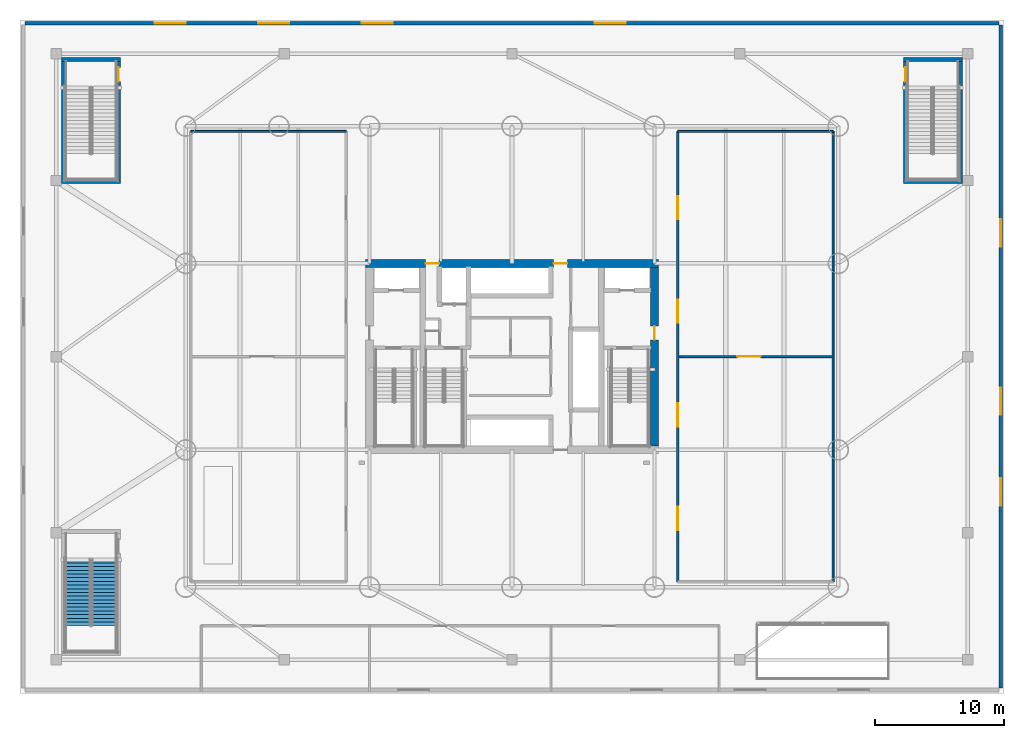
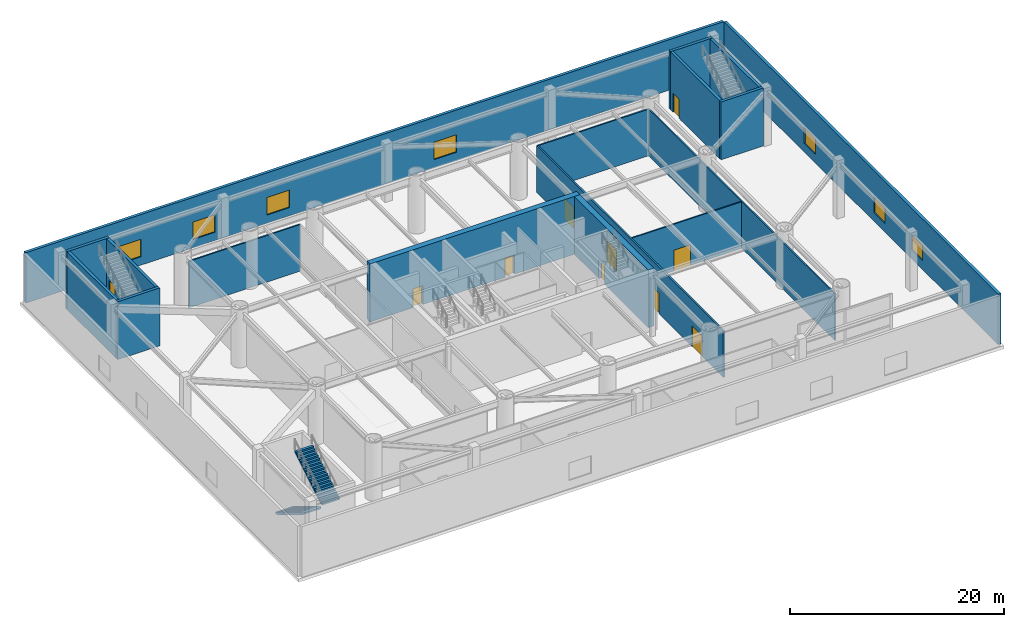
# One storey, part 8 of 16: 17 walls, 10 doors, 7 windows, 2 stair flights, 17 openings, 1 element without a shape of its own.
"""IFC4 building model written with IfcOpenShell, lengths in metres."""

from ifc_helpers import new_model, si_unit, direction, frame, frame_2d, origin, place, context, subcontext, project, spatial, polyline, rectangle, outline, extrude, material, layer, layer_set, type_object, element, fill, aggregate, save


model = new_model("IFC4")

# Units and contexts
model_context = context("Model", 3, precision=1e-05, world=origin(), true_north=direction((0.0, 1.0)))
body_context = subcontext(model_context, "Body", "Model", "MODEL_VIEW")
ifc_project = project(units=[si_unit("LENGTHUNIT", "METRE"), si_unit("AREAUNIT", "SQUARE_METRE"), si_unit("VOLUMEUNIT", "CUBIC_METRE"), si_unit("PLANEANGLEUNIT", "RADIAN"), si_unit("MASSUNIT", "GRAM", prefix="KILO")], contexts=[model_context])

# Site, building, storey
site_placement = place(None, origin())
site = spatial("IfcSite", under=ifc_project, at=site_placement, CompositionType="ELEMENT")
building_placement = place(site_placement, origin())
building = spatial("IfcBuilding", under=site, at=building_placement, Name="Bramvorn Convention Spire", CompositionType="ELEMENT")
storey_placement = place(building_placement, frame((0.0, 0.0, 12.0)))
storey = spatial("IfcBuildingStorey", under=building, at=storey_placement, Name="L02", CompositionType="ELEMENT", Elevation=12.0)

# Wall, openings, doors
ifc_material_1 = material(Name="Concrete C60/70", Category="concrete")
ifc_layer_1 = layer(ifc_material_1, 0.60009765625)
ifc_layer_set_1 = layer_set([ifc_layer_1], Name="Concrete C60/70 - WL-CORE-600")
wall_type_1 = type_object("IfcWallType", Name="WL-CORE-600", PredefinedType="SHEAR", material=ifc_layer_set_1)
wall_1_placement = place(storey_placement, frame((26.699951171875, 33.199951171875, 0.0), z_axis=(0.0, 0.0, 1.0), x_axis=(1.0, 0.0, 0.0)))
wall_1 = element("IfcWall", 1, at=wall_1_placement, inside=storey, type_object=wall_type_1, Name="L02 North RC core shear wall", PredefinedType="SHEAR", context=body_context, shape_type="SweptSolid", body=[
    extrude(rectangle(XDim=22.60009765625, YDim=0.60009765625, at=frame_2d((11.300048828125, 0.0))), origin(), (0.0, 0.0, 1.0), 6.60009765625),
])
opening_1_placement = place(wall_1_placement, frame((4.6201171875, 0.0, 0.0)))
opening_1 = element("IfcOpeningElement", 2, at=opening_1_placement, cuts=wall_1, Name="Opening DL-105", PredefinedType="OPENING", context=body_context, shape_type="SweptSolid", body=[
    extrude(rectangle(XDim=1.050048828125, YDim=2.14990234375, at=frame_2d((0.52490234375, 1.074951171875))), frame((0.0, 0.31005859375, 0.0), z_axis=(0.0, -1.0, 0.0), x_axis=(1.0, 0.0, 0.0)), (0.0, 0.0, 1.0), 0.6201171875),
])
opening_2_placement = place(wall_1_placement, frame((14.52001953125, 0.0, 0.0)))
opening_2 = element("IfcOpeningElement", 3, at=opening_2_placement, cuts=wall_1, Name="Opening DL-105", PredefinedType="OPENING", context=body_context, shape_type="SweptSolid", body=[
    extrude(rectangle(XDim=1.050048828125, YDim=2.14990234375, at=frame_2d((0.52490234375, 1.074951171875))), frame((0.0, 0.31005859375, 0.0), z_axis=(0.0, -1.0, 0.0), x_axis=(1.0, 0.0, 0.0)), (0.0, 0.0, 1.0), 0.6201171875),
])
ifc_material_2 = material(Name="Smoke-Sealed Fire Lobby Timber-Core Door", Category="wood")
door_type_1 = type_object("IfcDoorType", Name="DR-LOBBY-1050", OperationType="NOTDEFINED", PredefinedType="DOOR", material=ifc_material_2)
door_1_placement = place(opening_1_placement, origin())
door_1 = element("IfcDoor", 4, at=door_1_placement, inside=storey, type_object=door_type_1, Name="L02 Service & Stair ST3 Lobby north corridor door", OperationType="SINGLE_SWING_LEFT", OverallHeight=2.14990234375, OverallWidth=1.050048828125, PredefinedType="DOOR", context=body_context, shape_type="SweptSolid", body=[
    extrude(rectangle(XDim=1.050048828125, YDim=2.14990234375, at=frame_2d((0.52490234375, 1.074951171875))), frame((0.0, 0.02490234375, 0.0), z_axis=(0.0, -1.0, 0.0), x_axis=(1.0, 0.0, 0.0)), (0.0, 0.0, 1.0), 0.050048828125),
])
fill(opening_1, door_1)
door_2_placement = place(opening_2_placement, origin())
door_2 = element("IfcDoor", 5, at=door_2_placement, inside=storey, type_object=door_type_1, Name="L02 North Lift Lobby fire door", OperationType="SINGLE_SWING_LEFT", OverallHeight=2.14990234375, OverallWidth=1.050048828125, PredefinedType="DOOR", context=body_context, shape_type="SweptSolid", body=[
    extrude(rectangle(XDim=1.050048828125, YDim=2.14990234375, at=frame_2d((0.52490234375, 1.074951171875))), frame((0.0, 0.02490234375, 0.0), z_axis=(0.0, -1.0, 0.0), x_axis=(1.0, 0.0, 0.0)), (0.0, 0.0, 1.0), 0.050048828125),
])
fill(opening_2, door_2)

# Wall, opening, door
wall_2_placement = place(storey_placement, frame((49.0, 19.10009765625, 0.0), z_axis=(0.0, 0.0, 1.0), x_axis=(0.0, 1.0, 0.0)))
wall_2 = element("IfcWall", 6, at=wall_2_placement, inside=storey, type_object=wall_type_1, Name="L02 East RC core shear wall", PredefinedType="SHEAR", context=body_context, shape_type="SweptSolid", body=[
    extrude(rectangle(XDim=13.7998046875, YDim=0.60009765625, at=frame_2d((6.89990234375, 0.0))), origin(), (0.0, 0.0, 1.0), 6.60009765625),
])
opening_3_placement = place(wall_2_placement, frame((8.199951171875, 0.0, 0.0)))
opening_3 = element("IfcOpeningElement", 7, at=opening_3_placement, cuts=wall_2, Name="Opening DL-105", PredefinedType="OPENING", context=body_context, shape_type="SweptSolid", body=[
    extrude(rectangle(XDim=1.050048828125, YDim=2.14990234375, at=frame_2d((0.52490234375, 1.074951171875))), frame((0.0, 0.31005859375, 0.0), z_axis=(0.0, -1.0, 0.0), x_axis=(1.0, 0.0, 0.0)), (0.0, 0.0, 1.0), 0.6201171875),
])
door_3_placement = place(opening_3_placement, origin())
door_3 = element("IfcDoor", 8, at=door_3_placement, inside=storey, type_object=door_type_1, Name="L02 East Firefighting Lobby corridor door", OperationType="SINGLE_SWING_LEFT", OverallHeight=2.14990234375, OverallWidth=1.050048828125, PredefinedType="DOOR", context=body_context, shape_type="SweptSolid", body=[
    extrude(rectangle(XDim=1.050048828125, YDim=2.14990234375, at=frame_2d((0.52490234375, 1.074951171875))), frame((0.0, 0.02490234375, 0.0), z_axis=(0.0, -1.0, 0.0), x_axis=(1.0, 0.0, 0.0)), (0.0, 0.0, 1.0), 0.050048828125),
])
fill(opening_3, door_3)

# Wall, openings, windows
ifc_material_3 = material(Name="Precast Concrete C40/50 with Bronze Terracotta Rainscreen", Category="masonry")
ifc_layer_2 = layer(ifc_material_3, 0.300048828125)
ifc_layer_set_2 = layer_set([ifc_layer_2], Name="Precast Concrete C40/50 with Bronze Terracotta Rainscreen - WL-EXT-BRONZE-300")
wall_type_2 = type_object("IfcWallType", Name="WL-EXT-BRONZE-300", PredefinedType="SOLIDWALL", material=ifc_layer_set_2)
wall_3_placement = place(storey_placement, frame((0.39990234375, 51.75, 0.0), z_axis=(0.0, 0.0, 1.0), x_axis=(1.0, 0.0, 0.0)))
wall_3 = element("IfcWall", 9, at=wall_3_placement, inside=storey, type_object=wall_type_2, Name="L02 North podium bronze facade wall", PredefinedType="SOLIDWALL", context=body_context, shape_type="SweptSolid", body=[
    extrude(rectangle(XDim=75.2001953125, YDim=0.300048828125, at=frame_2d((37.60009765625, 0.0))), origin(), (0.0, 0.0, 1.0), 5.760009765625),
])
opening_4_placement = place(wall_3_placement, frame((10.0, 0.0, 0.949951171875)))
opening_4 = element("IfcOpeningElement", 10, at=opening_4_placement, cuts=wall_3, Name="Opening WN05", PredefinedType="OPENING", context=body_context, shape_type="SweptSolid", body=[
    extrude(rectangle(XDim=2.39990234375, YDim=2.0, at=frame_2d((1.199951171875, 1.0))), frame((0.0, 0.159912109375, 0.0), z_axis=(0.0, -1.0, 0.0), x_axis=(1.0, 0.0, 0.0)), (0.0, 0.0, 1.0), 0.320068359375),
])
opening_5_placement = place(wall_3_placement, frame((18.0, 0.0, 0.949951171875)))
opening_5 = element("IfcOpeningElement", 11, at=opening_5_placement, cuts=wall_3, Name="Opening WN05", PredefinedType="OPENING", context=body_context, shape_type="SweptSolid", body=[
    extrude(rectangle(XDim=2.39990234375, YDim=2.0, at=frame_2d((1.199951171875, 1.0))), frame((0.0, 0.159912109375, 0.0), z_axis=(0.0, -1.0, 0.0), x_axis=(1.0, 0.0, 0.0)), (0.0, 0.0, 1.0), 0.320068359375),
])
opening_6_placement = place(wall_3_placement, frame((26.0, 0.0, 0.949951171875)))
opening_6 = element("IfcOpeningElement", 12, at=opening_6_placement, cuts=wall_3, Name="Opening WN05", PredefinedType="OPENING", context=body_context, shape_type="SweptSolid", body=[
    extrude(rectangle(XDim=2.39990234375, YDim=2.0, at=frame_2d((1.199951171875, 1.0))), frame((0.0, 0.159912109375, 0.0), z_axis=(0.0, -1.0, 0.0), x_axis=(1.0, 0.0, 0.0)), (0.0, 0.0, 1.0), 0.320068359375),
])
opening_7_placement = place(wall_3_placement, frame((44.0, 0.0, 0.949951171875)))
opening_7 = element("IfcOpeningElement", 13, at=opening_7_placement, cuts=wall_3, Name="Opening WN05", PredefinedType="OPENING", context=body_context, shape_type="SweptSolid", body=[
    extrude(rectangle(XDim=2.39990234375, YDim=2.0, at=frame_2d((1.199951171875, 1.0))), frame((0.0, 0.159912109375, 0.0), z_axis=(0.0, -1.0, 0.0), x_axis=(1.0, 0.0, 0.0)), (0.0, 0.0, 1.0), 0.320068359375),
])
ifc_material_4 = material(Name="Thermally Broken Bronze Aluminium & Triple Low-E Glass", Category="aluminium")
window_type_1 = type_object("IfcWindowType", Name="WN-OP-2400X2000", PartitioningType="SINGLE_PANEL", PredefinedType="WINDOW", material=ifc_material_4)
window_1_placement = place(opening_4_placement, origin())
window_1 = element("IfcWindow", 14, at=window_1_placement, inside=storey, type_object=window_type_1, Name="L02 North operable convention window 1", OverallHeight=2.0, OverallWidth=2.39990234375, PartitioningType="SINGLE_PANEL", PredefinedType="WINDOW", context=body_context, shape_type="SweptSolid", body=[
    extrude(rectangle(XDim=2.39990234375, YDim=2.0, at=frame_2d((1.199951171875, 1.0))), frame((0.0, 0.030029296875, 0.0), z_axis=(0.0, -1.0, 0.0), x_axis=(1.0, 0.0, 0.0)), (0.0, 0.0, 1.0), 0.06005859375),
])
fill(opening_4, window_1)
window_2_placement = place(opening_5_placement, origin())
window_2 = element("IfcWindow", 15, at=window_2_placement, inside=storey, type_object=window_type_1, Name="L02 North operable convention window 2", OverallHeight=2.0, OverallWidth=2.39990234375, PartitioningType="SINGLE_PANEL", PredefinedType="WINDOW", context=body_context, shape_type="SweptSolid", body=[
    extrude(rectangle(XDim=2.39990234375, YDim=2.0, at=frame_2d((1.199951171875, 1.0))), frame((0.0, 0.030029296875, 0.0), z_axis=(0.0, -1.0, 0.0), x_axis=(1.0, 0.0, 0.0)), (0.0, 0.0, 1.0), 0.06005859375),
])
fill(opening_5, window_2)
window_3_placement = place(opening_6_placement, origin())
window_3 = element("IfcWindow", 16, at=window_3_placement, inside=storey, type_object=window_type_1, Name="L02 North operable convention window 3", OverallHeight=2.0, OverallWidth=2.39990234375, PartitioningType="SINGLE_PANEL", PredefinedType="WINDOW", context=body_context, shape_type="SweptSolid", body=[
    extrude(rectangle(XDim=2.39990234375, YDim=2.0, at=frame_2d((1.199951171875, 1.0))), frame((0.0, 0.030029296875, 0.0), z_axis=(0.0, -1.0, 0.0), x_axis=(1.0, 0.0, 0.0)), (0.0, 0.0, 1.0), 0.06005859375),
])
fill(opening_6, window_3)
window_4_placement = place(opening_7_placement, origin())
window_4 = element("IfcWindow", 17, at=window_4_placement, inside=storey, type_object=window_type_1, Name="L02 North operable convention window 4", OverallHeight=2.0, OverallWidth=2.39990234375, PartitioningType="SINGLE_PANEL", PredefinedType="WINDOW", context=body_context, shape_type="SweptSolid", body=[
    extrude(rectangle(XDim=2.39990234375, YDim=2.0, at=frame_2d((1.199951171875, 1.0))), frame((0.0, 0.030029296875, 0.0), z_axis=(0.0, -1.0, 0.0), x_axis=(1.0, 0.0, 0.0)), (0.0, 0.0, 1.0), 0.06005859375),
])
fill(opening_7, window_4)

wall_4_placement = place(storey_placement, frame((75.75, 51.60009765625, 0.0), z_axis=(0.0, 0.0, 1.0), x_axis=(0.0, -1.0, 0.0)))
wall_4 = element("IfcWall", 18, at=wall_4_placement, inside=storey, type_object=wall_type_2, Name="L02 East podium bronze facade wall", PredefinedType="SOLIDWALL", context=body_context, shape_type="SweptSolid", body=[
    extrude(rectangle(XDim=51.2001953125, YDim=0.300048828125, at=frame_2d((25.60009765625, 0.0))), origin(), (0.0, 0.0, 1.0), 5.760009765625),
])
opening_8_placement = place(wall_4_placement, frame((15.0, 0.0, 1.0)))
opening_8 = element("IfcOpeningElement", 19, at=opening_8_placement, cuts=wall_4, Name="Opening WN04", PredefinedType="OPENING", context=body_context, shape_type="SweptSolid", body=[
    extrude(rectangle(XDim=2.10009765625, YDim=1.800048828125, at=frame_2d((1.050048828125, 0.89990234375))), frame((0.0, 0.159912109375, 0.0), z_axis=(0.0, -1.0, 0.0), x_axis=(1.0, 0.0, 0.0)), (0.0, 0.0, 1.0), 0.320068359375),
])
opening_9_placement = place(wall_4_placement, frame((28.0, 0.0, 1.0)))
opening_9 = element("IfcOpeningElement", 20, at=opening_9_placement, cuts=wall_4, Name="Opening WN04", PredefinedType="OPENING", context=body_context, shape_type="SweptSolid", body=[
    extrude(rectangle(XDim=2.10009765625, YDim=1.800048828125, at=frame_2d((1.050048828125, 0.89990234375))), frame((0.0, 0.159912109375, 0.0), z_axis=(0.0, -1.0, 0.0), x_axis=(1.0, 0.0, 0.0)), (0.0, 0.0, 1.0), 0.320068359375),
])
opening_10_placement = place(wall_4_placement, frame((35.0, 0.0, 1.0)))
opening_10 = element("IfcOpeningElement", 21, at=opening_10_placement, cuts=wall_4, Name="Opening WN04", PredefinedType="OPENING", context=body_context, shape_type="SweptSolid", body=[
    extrude(rectangle(XDim=2.10009765625, YDim=1.800048828125, at=frame_2d((1.050048828125, 0.89990234375))), frame((0.0, 0.159912109375, 0.0), z_axis=(0.0, -1.0, 0.0), x_axis=(1.0, 0.0, 0.0)), (0.0, 0.0, 1.0), 0.320068359375),
])
window_type_2 = type_object("IfcWindowType", Name="WN-OP-2100X1800", PartitioningType="SINGLE_PANEL", PredefinedType="WINDOW", material=ifc_material_4)
window_5_placement = place(opening_8_placement, origin())
window_5 = element("IfcWindow", 22, at=window_5_placement, inside=storey, type_object=window_type_2, Name="L02 East operable window 1", OverallHeight=1.800048828125, OverallWidth=2.10009765625, PartitioningType="SINGLE_PANEL", PredefinedType="WINDOW", context=body_context, shape_type="SweptSolid", body=[
    extrude(rectangle(XDim=2.10009765625, YDim=1.800048828125, at=frame_2d((1.050048828125, 0.89990234375))), frame((0.0, 0.030029296875, 0.0), z_axis=(0.0, -1.0, 0.0), x_axis=(1.0, 0.0, 0.0)), (0.0, 0.0, 1.0), 0.06005859375),
])
fill(opening_8, window_5)
window_6_placement = place(opening_9_placement, origin())
window_6 = element("IfcWindow", 23, at=window_6_placement, inside=storey, type_object=window_type_2, Name="L02 East operable window 2", OverallHeight=1.800048828125, OverallWidth=2.10009765625, PartitioningType="SINGLE_PANEL", PredefinedType="WINDOW", context=body_context, shape_type="SweptSolid", body=[
    extrude(rectangle(XDim=2.10009765625, YDim=1.800048828125, at=frame_2d((1.050048828125, 0.89990234375))), frame((0.0, 0.030029296875, 0.0), z_axis=(0.0, -1.0, 0.0), x_axis=(1.0, 0.0, 0.0)), (0.0, 0.0, 1.0), 0.06005859375),
])
fill(opening_9, window_6)
window_7_placement = place(opening_10_placement, origin())
window_7 = element("IfcWindow", 24, at=window_7_placement, inside=storey, type_object=window_type_2, Name="L02 East operable window 3", OverallHeight=1.800048828125, OverallWidth=2.10009765625, PartitioningType="SINGLE_PANEL", PredefinedType="WINDOW", context=body_context, shape_type="SweptSolid", body=[
    extrude(rectangle(XDim=2.10009765625, YDim=1.800048828125, at=frame_2d((1.050048828125, 0.89990234375))), frame((0.0, 0.030029296875, 0.0), z_axis=(0.0, -1.0, 0.0), x_axis=(1.0, 0.0, 0.0)), (0.0, 0.0, 1.0), 0.06005859375),
])
fill(opening_10, window_7)

# Wall, opening, door
ifc_material_5 = material(Name="Motorised Operable Acoustic Hall Partition", Category="gypsum")
ifc_layer_3 = layer(ifc_material_5, 0.139892578125)
ifc_layer_set_3 = layer_set([ifc_layer_3], Name="Motorised Operable Acoustic Hall Partition - WL-MOVABLE-140")
wall_type_3 = type_object("IfcWallType", Name="WL-MOVABLE-140", PredefinedType="MOVABLE", material=ifc_layer_set_3)
wall_5_placement = place(storey_placement, frame((50.89990234375, 26.0, 0.0), z_axis=(0.0, 0.0, 1.0), x_axis=(1.0, 0.0, 0.0)))
wall_5 = element("IfcWall", 25, at=wall_5_placement, inside=storey, type_object=wall_type_3, Name="L02 Operable hall wall E", PredefinedType="MOVABLE", context=body_context, shape_type="SweptSolid", body=[
    extrude(rectangle(XDim=11.800048828125, YDim=0.139892578125, at=frame_2d((5.89990234375, 0.0))), origin(), (0.0, 0.0, 1.0), 5.31005859375),
])
opening_11_placement = place(wall_5_placement, frame((4.5, 0.0, 0.0)))
opening_11 = element("IfcOpeningElement", 26, at=opening_11_placement, cuts=wall_5, Name="Opening DH-180", PredefinedType="OPENING", context=body_context, shape_type="SweptSolid", body=[
    extrude(rectangle(XDim=1.800048828125, YDim=2.35009765625, at=frame_2d((0.89990234375, 1.175048828125))), frame((0.0, 0.079833984375, 0.0), z_axis=(0.0, -1.0, 0.0), x_axis=(1.0, 0.0, 0.0)), (0.0, 0.0, 1.0), 0.159912109375),
])
ifc_material_6 = material(Name="Double-Leaf Acoustic Assembly Hall Door", Category="wood")
door_type_2 = type_object("IfcDoorType", Name="DR-HALL-1800", OperationType="NOTDEFINED", PredefinedType="DOOR", material=ifc_material_6)
door_4_placement = place(opening_11_placement, origin())
door_4 = element("IfcDoor", 27, at=door_4_placement, inside=storey, type_object=door_type_2, Name="L02 Operable pass door E", OperationType="DOUBLE_DOOR_SINGLE_SWING", OverallHeight=2.35009765625, OverallWidth=1.800048828125, PredefinedType="DOOR", context=body_context, shape_type="SweptSolid", body=[
    extrude(rectangle(XDim=1.800048828125, YDim=2.35009765625, at=frame_2d((0.89990234375, 1.175048828125))), frame((0.0, 0.02490234375, 0.0), z_axis=(0.0, -1.0, 0.0), x_axis=(1.0, 0.0, 0.0)), (0.0, 0.0, 1.0), 0.050048828125),
])
fill(opening_11, door_4)

# Walls
ifc_material_7 = material(Name="Acoustic Metal-Stud Tenant/Corridor Partition", Category="gypsum")
ifc_layer_4 = layer(ifc_material_7, 0.14990234375)
ifc_layer_set_4 = layer_set([ifc_layer_4], Name="Acoustic Metal-Stud Tenant/Corridor Partition - WL-PART-150")
wall_type_4 = type_object("IfcWallType", Name="WL-PART-150", PredefinedType="PARTITIONING", material=ifc_layer_set_4)
for number, where, z_axis, x_axis, name in (
    (28, (13.199951171875, 43.39990234375, 0.0), (0.0, 0.0, 1.0), (1.0, 0.0, 0.0), "L02 West Hall north wall"),
    (29, (50.800048828125, 43.39990234375, 0.0), (0.0, 0.0, 1.0), (1.0, 0.0, 0.0), "L02 East Hall north wall"),
):
    element("IfcWall", number, at=place(storey_placement, frame(where, z_axis=z_axis, x_axis=x_axis)), inside=storey, type_object=wall_type_4, Name=name, PredefinedType="PARTITIONING", context=body_context, shape_type="SweptSolid", body=[
        extrude(rectangle(XDim=12.0, YDim=0.14990234375, at=frame_2d((6.0, 0.0))), origin(), (0.0, 0.0, 1.0), 5.31005859375),
    ])
wall_6_placement = place(storey_placement, frame((62.800048828125, 8.60009765625, 0.0), z_axis=(0.0, 0.0, 1.0), x_axis=(0.0, 1.0, 0.0)))
element("IfcWall", 30, at=wall_6_placement, inside=storey, type_object=wall_type_4, Name="L02 East Hall outer gallery wall", PredefinedType="PARTITIONING", context=body_context, shape_type="SweptSolid", body=[
    extrude(rectangle(XDim=34.7998046875, YDim=0.14990234375, at=frame_2d((17.39990234375, 0.0))), origin(), (0.0, 0.0, 1.0), 5.31005859375),
])

# Wall, openings, doors
ifc_material_8 = material(Name="Double-Stud Acoustic Hotel/Suite Partition", Category="gypsum")
ifc_layer_5 = layer(ifc_material_8, 0.175048828125)
ifc_layer_set_5 = layer_set([ifc_layer_5], Name="Double-Stud Acoustic Hotel/Suite Partition - WL-PART-175")
wall_type_5 = type_object("IfcWallType", Name="WL-PART-175", PredefinedType="PARTITIONING", material=ifc_layer_set_5)
wall_7_placement = place(storey_placement, frame((50.800048828125, 8.60009765625, 0.0), z_axis=(0.0, 0.0, 1.0), x_axis=(0.0, 1.0, 0.0)))
wall_7 = element("IfcWall", 31, at=wall_7_placement, inside=storey, type_object=wall_type_5, Name="L02 East Expo Hall foyer wall", PredefinedType="PARTITIONING", context=body_context, shape_type="SweptSolid", body=[
    extrude(rectangle(XDim=34.7998046875, YDim=0.175048828125, at=frame_2d((17.39990234375, 0.0))), origin(), (0.0, 0.0, 1.0), 5.31005859375),
])
opening_12_placement = place(wall_7_placement, frame((4.0, 0.0, 0.0)))
opening_12 = element("IfcOpeningElement", 32, at=opening_12_placement, cuts=wall_7, Name="Opening DH-180", PredefinedType="OPENING", context=body_context, shape_type="SweptSolid", body=[
    extrude(rectangle(XDim=1.800048828125, YDim=2.35009765625, at=frame_2d((0.89990234375, 1.175048828125))), frame((0.0, 0.097412109375, 0.0), z_axis=(0.0, -1.0, 0.0), x_axis=(1.0, 0.0, 0.0)), (0.0, 0.0, 1.0), 0.195068359375),
])
opening_13_placement = place(wall_7_placement, frame((12.0, 0.0, 0.0)))
opening_13 = element("IfcOpeningElement", 33, at=opening_13_placement, cuts=wall_7, Name="Opening DH-180", PredefinedType="OPENING", context=body_context, shape_type="SweptSolid", body=[
    extrude(rectangle(XDim=1.800048828125, YDim=2.35009765625, at=frame_2d((0.89990234375, 1.175048828125))), frame((0.0, 0.097412109375, 0.0), z_axis=(0.0, -1.0, 0.0), x_axis=(1.0, 0.0, 0.0)), (0.0, 0.0, 1.0), 0.195068359375),
])
opening_14_placement = place(wall_7_placement, frame((20.0, 0.0, 0.0)))
opening_14 = element("IfcOpeningElement", 34, at=opening_14_placement, cuts=wall_7, Name="Opening DH-180", PredefinedType="OPENING", context=body_context, shape_type="SweptSolid", body=[
    extrude(rectangle(XDim=1.800048828125, YDim=2.35009765625, at=frame_2d((0.89990234375, 1.175048828125))), frame((0.0, 0.097412109375, 0.0), z_axis=(0.0, -1.0, 0.0), x_axis=(1.0, 0.0, 0.0)), (0.0, 0.0, 1.0), 0.195068359375),
])
opening_15_placement = place(wall_7_placement, frame((28.0, 0.0, 0.0)))
opening_15 = element("IfcOpeningElement", 35, at=opening_15_placement, cuts=wall_7, Name="Opening DH-180", PredefinedType="OPENING", context=body_context, shape_type="SweptSolid", body=[
    extrude(rectangle(XDim=1.800048828125, YDim=2.35009765625, at=frame_2d((0.89990234375, 1.175048828125))), frame((0.0, 0.097412109375, 0.0), z_axis=(0.0, -1.0, 0.0), x_axis=(1.0, 0.0, 0.0)), (0.0, 0.0, 1.0), 0.195068359375),
])
door_5_placement = place(opening_12_placement, origin())
door_5 = element("IfcDoor", 36, at=door_5_placement, inside=storey, type_object=door_type_2, Name="L02 East Hall portal 1", OperationType="DOUBLE_DOOR_SINGLE_SWING", OverallHeight=2.35009765625, OverallWidth=1.800048828125, PredefinedType="DOOR", context=body_context, shape_type="SweptSolid", body=[
    extrude(rectangle(XDim=1.800048828125, YDim=2.35009765625, at=frame_2d((0.89990234375, 1.175048828125))), frame((0.0, 0.02490234375, 0.0), z_axis=(0.0, -1.0, 0.0), x_axis=(1.0, 0.0, 0.0)), (0.0, 0.0, 1.0), 0.050048828125),
])
fill(opening_12, door_5)
door_6_placement = place(opening_13_placement, origin())
door_6 = element("IfcDoor", 37, at=door_6_placement, inside=storey, type_object=door_type_2, Name="L02 East Hall portal 2", OperationType="DOUBLE_DOOR_SINGLE_SWING", OverallHeight=2.35009765625, OverallWidth=1.800048828125, PredefinedType="DOOR", context=body_context, shape_type="SweptSolid", body=[
    extrude(rectangle(XDim=1.800048828125, YDim=2.35009765625, at=frame_2d((0.89990234375, 1.175048828125))), frame((0.0, 0.02490234375, 0.0), z_axis=(0.0, -1.0, 0.0), x_axis=(1.0, 0.0, 0.0)), (0.0, 0.0, 1.0), 0.050048828125),
])
fill(opening_13, door_6)
door_7_placement = place(opening_14_placement, origin())
door_7 = element("IfcDoor", 38, at=door_7_placement, inside=storey, type_object=door_type_2, Name="L02 East Hall portal 3", OperationType="DOUBLE_DOOR_SINGLE_SWING", OverallHeight=2.35009765625, OverallWidth=1.800048828125, PredefinedType="DOOR", context=body_context, shape_type="SweptSolid", body=[
    extrude(rectangle(XDim=1.800048828125, YDim=2.35009765625, at=frame_2d((0.89990234375, 1.175048828125))), frame((0.0, 0.02490234375, 0.0), z_axis=(0.0, -1.0, 0.0), x_axis=(1.0, 0.0, 0.0)), (0.0, 0.0, 1.0), 0.050048828125),
])
fill(opening_14, door_7)
door_8_placement = place(opening_15_placement, origin())
door_8 = element("IfcDoor", 39, at=door_8_placement, inside=storey, type_object=door_type_2, Name="L02 East Hall portal 4", OperationType="DOUBLE_DOOR_SINGLE_SWING", OverallHeight=2.35009765625, OverallWidth=1.800048828125, PredefinedType="DOOR", context=body_context, shape_type="SweptSolid", body=[
    extrude(rectangle(XDim=1.800048828125, YDim=2.35009765625, at=frame_2d((0.89990234375, 1.175048828125))), frame((0.0, 0.02490234375, 0.0), z_axis=(0.0, -1.0, 0.0), x_axis=(1.0, 0.0, 0.0)), (0.0, 0.0, 1.0), 0.050048828125),
])
fill(opening_15, door_8)

# Walls
ifc_material_9 = material(Name="Concrete C50/60", Category="concrete")
ifc_layer_6 = layer(ifc_material_9, 0.300048828125)
ifc_layer_set_6 = layer_set([ifc_layer_6], Name="Concrete C50/60 - WL-POD-STAIR-300")
wall_type_6 = type_object("IfcWallType", Name="WL-POD-STAIR-300", PredefinedType="SHEAR", material=ifc_layer_set_6)
for number, where, z_axis, x_axis, name in (
    (40, (68.22998046875, 39.510009765625, 0.0), (0.0, 0.0, 1.0), (1.0, 0.0, 0.0), "L02 ST5 south shaft wall"),
    (41, (68.22998046875, 48.93994140625, 0.0), (0.0, 0.0, 1.0), (1.0, 0.0, 0.0), "L02 ST5 north shaft wall"),
):
    element("IfcWall", number, at=place(storey_placement, frame(where, z_axis=z_axis, x_axis=x_axis)), inside=storey, type_object=wall_type_6, Name=name, PredefinedType="SHEAR", context=body_context, shape_type="SweptSolid", body=[
        extrude(rectangle(XDim=4.56005859375, YDim=0.300048828125, at=frame_2d((2.280029296875, 0.0))), origin(), (0.0, 0.0, 1.0), 6.60009765625),
    ])

# Wall, opening, door
wall_8_placement = place(storey_placement, frame((68.3798828125, 39.659912109375, 0.0), z_axis=(0.0, 0.0, 1.0), x_axis=(0.0, 1.0, 0.0)))
wall_8 = element("IfcWall", 42, at=wall_8_placement, inside=storey, type_object=wall_type_6, Name="L02 ST5 west shaft wall", PredefinedType="SHEAR", context=body_context, shape_type="SweptSolid", body=[
    extrude(rectangle(XDim=9.130126953125, YDim=0.300048828125, at=frame_2d((4.56494140625, 0.0))), origin(), (0.0, 0.0, 1.0), 6.60009765625),
])
opening_16_placement = place(wall_8_placement, frame((7.580078125, 0.0, 0.0)))
opening_16 = element("IfcOpeningElement", 43, at=opening_16_placement, cuts=wall_8, Name="Opening DS-110", PredefinedType="OPENING", context=body_context, shape_type="SweptSolid", body=[
    extrude(rectangle(XDim=1.10009765625, YDim=2.14990234375, at=frame_2d((0.550048828125, 1.074951171875))), frame((0.0, 0.159912109375, 0.0), z_axis=(0.0, -1.0, 0.0), x_axis=(1.0, 0.0, 0.0)), (0.0, 0.0, 1.0), 0.320068359375),
])
ifc_material_10 = material(Name="Fire-Rated Hollow Steel Stairwell Door", Category="steel")
door_type_3 = type_object("IfcDoorType", Name="DR-STAIR-1100", OperationType="NOTDEFINED", PredefinedType="DOOR", material=ifc_material_10)
door_9_placement = place(opening_16_placement, origin())
door_9 = element("IfcDoor", 44, at=door_9_placement, inside=storey, type_object=door_type_3, Name="L02 ST5 exit stairwell door", OperationType="SINGLE_SWING_LEFT", OverallHeight=2.14990234375, OverallWidth=1.10009765625, PredefinedType="DOOR", context=body_context, shape_type="SweptSolid", body=[
    extrude(rectangle(XDim=1.10009765625, YDim=2.14990234375, at=frame_2d((0.550048828125, 1.074951171875))), frame((0.0, 0.02490234375, 0.0), z_axis=(0.0, -1.0, 0.0), x_axis=(1.0, 0.0, 0.0)), (0.0, 0.0, 1.0), 0.050048828125),
])
fill(opening_16, door_9)

# Walls
wall_9_placement = place(storey_placement, frame((72.639892578125, 48.7900390625, 0.0), z_axis=(0.0, 0.0, 1.0), x_axis=(0.0, -1.0, 0.0)))
element("IfcWall", 45, at=wall_9_placement, inside=storey, type_object=wall_type_6, Name="L02 ST5 east shaft wall", PredefinedType="SHEAR", context=body_context, shape_type="SweptSolid", body=[
    extrude(rectangle(XDim=9.130126953125, YDim=0.300048828125, at=frame_2d((4.56494140625, 0.0))), origin(), (0.0, 0.0, 1.0), 6.60009765625),
])
for number, where, z_axis, x_axis, name in (
    (46, (3.2099609375, 39.510009765625, 0.0), (0.0, 0.0, 1.0), (1.0, 0.0, 0.0), "L02 ST6 south shaft wall"),
    (47, (3.2099609375, 48.93994140625, 0.0), (0.0, 0.0, 1.0), (1.0, 0.0, 0.0), "L02 ST6 north shaft wall"),
):
    element("IfcWall", number, at=place(storey_placement, frame(where, z_axis=z_axis, x_axis=x_axis)), inside=storey, type_object=wall_type_6, Name=name, PredefinedType="SHEAR", context=body_context, shape_type="SweptSolid", body=[
        extrude(rectangle(XDim=4.56005859375, YDim=0.300048828125, at=frame_2d((2.280029296875, 0.0))), origin(), (0.0, 0.0, 1.0), 6.60009765625),
    ])
wall_10_placement = place(storey_placement, frame((3.360107421875, 39.659912109375, 0.0), z_axis=(0.0, 0.0, 1.0), x_axis=(0.0, 1.0, 0.0)))
element("IfcWall", 48, at=wall_10_placement, inside=storey, type_object=wall_type_6, Name="L02 ST6 west shaft wall", PredefinedType="SHEAR", context=body_context, shape_type="SweptSolid", body=[
    extrude(rectangle(XDim=9.130126953125, YDim=0.300048828125, at=frame_2d((4.56494140625, 0.0))), origin(), (0.0, 0.0, 1.0), 6.60009765625),
])

# Wall, opening, door
wall_11_placement = place(storey_placement, frame((7.6201171875, 48.7900390625, 0.0), z_axis=(0.0, 0.0, 1.0), x_axis=(0.0, -1.0, 0.0)))
wall_11 = element("IfcWall", 49, at=wall_11_placement, inside=storey, type_object=wall_type_6, Name="L02 ST6 east shaft wall", PredefinedType="SHEAR", context=body_context, shape_type="SweptSolid", body=[
    extrude(rectangle(XDim=9.130126953125, YDim=0.300048828125, at=frame_2d((4.56494140625, 0.0))), origin(), (0.0, 0.0, 1.0), 6.60009765625),
])
opening_17_placement = place(wall_11_placement, frame((0.449951171875, 0.0, 0.0)))
opening_17 = element("IfcOpeningElement", 50, at=opening_17_placement, cuts=wall_11, Name="Opening DS-110", PredefinedType="OPENING", context=body_context, shape_type="SweptSolid", body=[
    extrude(rectangle(XDim=1.10009765625, YDim=2.14990234375, at=frame_2d((0.550048828125, 1.074951171875))), frame((0.0, 0.159912109375, 0.0), z_axis=(0.0, -1.0, 0.0), x_axis=(1.0, 0.0, 0.0)), (0.0, 0.0, 1.0), 0.320068359375),
])
door_10_placement = place(opening_17_placement, origin())
door_10 = element("IfcDoor", 51, at=door_10_placement, inside=storey, type_object=door_type_3, Name="L02 ST6 exit stairwell door", OperationType="SINGLE_SWING_LEFT", OverallHeight=2.14990234375, OverallWidth=1.10009765625, PredefinedType="DOOR", context=body_context, shape_type="SweptSolid", body=[
    extrude(rectangle(XDim=1.10009765625, YDim=2.14990234375, at=frame_2d((0.550048828125, 1.074951171875))), frame((0.0, 0.02490234375, 0.0), z_axis=(0.0, -1.0, 0.0), x_axis=(1.0, 0.0, 0.0)), (0.0, 0.0, 1.0), 0.050048828125),
])
fill(opening_17, door_10)

# Stair, stair flights
ifc_material_11 = material(Name="Concrete C40/50 Grand Exit Stair", Category="concrete")
stair_type = type_object("IfcStairType", Name="ST-PODIUM-1950", PredefinedType="HALF_TURN_STAIR", material=ifc_material_11)
stair_placement = place(storey_placement, origin())
stair = element("IfcStair", 52, at=stair_placement, inside=storey, type_object=stair_type, Name="L02 Protected Exit Stair ST4", PredefinedType="HALF_TURN_STAIR")
ifc_material_12 = material(Name="Concrete C40/50 Precast Stair Flight", Category="concrete")
stair_flight_type = type_object("IfcStairFlightType", Name="STF-PODIUM-1950", PredefinedType="STRAIGHT", material=ifc_material_12)
stair_flight_1_placement = place(storey_placement, frame((4.47509765625, 10.35009765625, 0.0), z_axis=(0.0, 0.0, 1.0), x_axis=(0.0, -1.0, 0.0)))
stair_flight_1 = element("IfcStairFlight", 53, at=stair_flight_1_placement, type_object=stair_flight_type, Name="ST4 flight 1", NumberOfRisers=19, NumberOfTreads=18, PredefinedType="STRAIGHT", RiserHeight=0.173684211, TreadLength=0.285, context=body_context, shape_type="SweptSolid", body=[
    extrude(outline(polyline([(0.0, 0.0), (0.0, 0.173583984375), (0.284912109375, 0.173583984375), (0.284912109375, 0.347412109375), (0.570068359375, 0.347412109375), (0.570068359375, 0.52099609375), (0.85498046875, 0.52099609375), (0.85498046875, 0.69482421875), (1.139892578125, 0.69482421875), (1.139892578125, 0.868408203125), (1.425048828125, 0.868408203125), (1.425048828125, 1.0419921875), (1.7099609375, 1.0419921875), (1.7099609375, 1.2158203125), (1.9951171875, 1.2158203125), (1.9951171875, 1.389404296875), (2.280029296875, 1.389404296875), (2.280029296875, 1.563232421875), (2.56494140625, 1.563232421875), (2.56494140625, 1.73681640625), (2.85009765625, 1.73681640625), (2.85009765625, 1.91064453125), (3.135009765625, 1.91064453125), (3.135009765625, 2.084228515625), (3.419921875, 2.084228515625), (3.419921875, 2.2578125), (3.705078125, 2.2578125), (3.705078125, 2.431640625), (3.989990234375, 2.431640625), (3.989990234375, 2.605224609375), (4.27490234375, 2.605224609375), (4.27490234375, 2.779052734375), (4.56005859375, 2.779052734375), (4.56005859375, 2.95263671875), (4.844970703125, 2.95263671875), (4.844970703125, 3.126220703125), (5.1298828125, 3.126220703125), (5.1298828125, 3.300048828125), (5.1298828125, 2.95068359375), (0.2880859375, 0.0), (0.0, 0.0)])), frame((0.0, 0.97509765625, 0.0), z_axis=(0.0, -1.0, 0.0), x_axis=(1.0, 0.0, 0.0)), (0.0, 0.0, 1.0), 1.949951171875),
])
stair_flight_2_placement = place(storey_placement, frame((6.5048828125, 5.219970703125, 3.300048828125), z_axis=(0.0, 0.0, 1.0), x_axis=(0.0, 1.0, 0.0)))
stair_flight_2 = element("IfcStairFlight", 54, at=stair_flight_2_placement, type_object=stair_flight_type, Name="ST4 flight 2", NumberOfRisers=19, NumberOfTreads=18, PredefinedType="STRAIGHT", RiserHeight=0.173684211, TreadLength=0.285, context=body_context, shape_type="SweptSolid", body=[
    extrude(outline(polyline([(0.0, 0.0), (0.0, 0.173583984375), (0.284912109375, 0.173583984375), (0.284912109375, 0.347412109375), (0.570068359375, 0.347412109375), (0.570068359375, 0.52099609375), (0.85498046875, 0.52099609375), (0.85498046875, 0.69482421875), (1.139892578125, 0.69482421875), (1.139892578125, 0.868408203125), (1.425048828125, 0.868408203125), (1.425048828125, 1.0419921875), (1.7099609375, 1.0419921875), (1.7099609375, 1.2158203125), (1.9951171875, 1.2158203125), (1.9951171875, 1.389404296875), (2.280029296875, 1.389404296875), (2.280029296875, 1.563232421875), (2.56494140625, 1.563232421875), (2.56494140625, 1.73681640625), (2.85009765625, 1.73681640625), (2.85009765625, 1.91064453125), (3.135009765625, 1.91064453125), (3.135009765625, 2.084228515625), (3.419921875, 2.084228515625), (3.419921875, 2.2578125), (3.705078125, 2.2578125), (3.705078125, 2.431640625), (3.989990234375, 2.431640625), (3.989990234375, 2.605224609375), (4.27490234375, 2.605224609375), (4.27490234375, 2.779052734375), (4.56005859375, 2.779052734375), (4.56005859375, 2.95263671875), (4.844970703125, 2.95263671875), (4.844970703125, 3.126220703125), (5.1298828125, 3.126220703125), (5.1298828125, 3.300048828125), (5.1298828125, 2.95068359375), (0.2880859375, 0.0), (0.0, 0.0)])), frame((0.0, 0.97509765625, 0.0), z_axis=(0.0, -1.0, 0.0), x_axis=(1.0, 0.0, 0.0)), (0.0, 0.0, 1.0), 1.949951171875),
])
aggregate(stair, [stair_flight_1, stair_flight_2])

save(model, "model.ifc")
